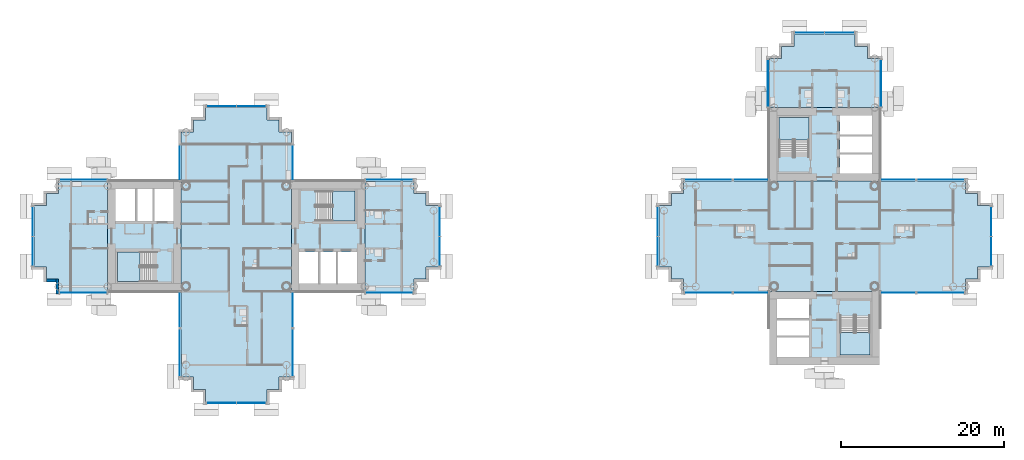
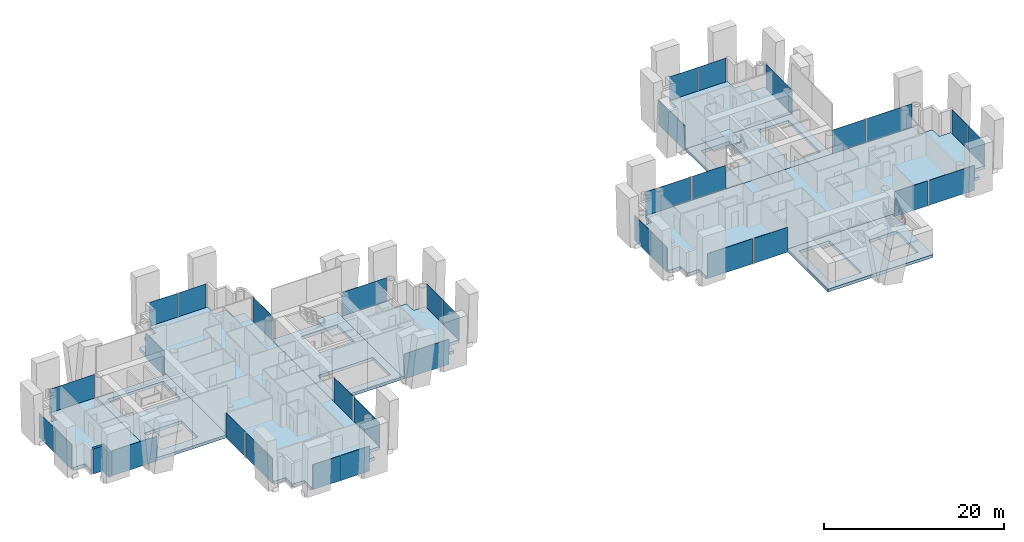
# One storey, part 7 of 20: 34 plates, 13 slabs, 2 walls, 31 elements without a shape of their own.
"""IFC4 building model written with IfcOpenShell, lengths in metres."""

from ifc_helpers import new_model, si_unit, direction, frame, frame_2d, origin, origin_2d, place, context, subcontext, project, spatial, polyline, rectangle, outline, extrude, material, layer, layer_set, type_object, element, aggregate, save


model = new_model("IFC4")

# Units and contexts
model_context = context("Model", 3, precision=1e-05, world=origin(), true_north=direction((0.0, 1.0)))
body_context = subcontext(model_context, "Body", "Model", "MODEL_VIEW")
ifc_project = project(units=[si_unit("LENGTHUNIT", "METRE"), si_unit("AREAUNIT", "SQUARE_METRE"), si_unit("VOLUMEUNIT", "CUBIC_METRE"), si_unit("PLANEANGLEUNIT", "RADIAN"), si_unit("MASSUNIT", "GRAM", prefix="KILO")], contexts=[model_context])

# Site, building, storey
site_placement = place(None, origin())
site = spatial("IfcSite", under=ifc_project, at=site_placement, CompositionType="ELEMENT")
building_placement = place(site_placement, origin())
building = spatial("IfcBuilding", under=site, at=building_placement, Name="Ipe Terrace Towers", CompositionType="ELEMENT")
storey_placement = place(building_placement, frame((0.0, 0.0, 100.39990234375)))
storey = spatial("IfcBuildingStorey", under=building, at=storey_placement, Name="L27", CompositionType="ELEMENT", Elevation=100.39990234375)

# Slabs
ifc_material_1 = material(Name="Concrete C30/37", Category="concrete")
ifc_layer_1 = layer(ifc_material_1, 0.39990234375)
ifc_layer_set_1 = layer_set([ifc_layer_1], Name="CORE FLOOR SLAB 400 C30-37")
slab_type_1 = type_object("IfcSlabType", Name="CORE FLOOR SLAB 400 C30-37", PredefinedType="FLOOR", material=ifc_layer_set_1)
slab_1_placement = place(storey_placement, frame((0.0, 0.0, -0.39990234375)))
element("IfcSlab", 1, at=slab_1_placement, inside=storey, type_object=slab_type_1, Name="Core floor T1-C1", PredefinedType="FLOOR", context=body_context, shape_type="SweptSolid", body=[
    extrude(outline(polyline([(-29.25, -6.75), (-29.25, 6.75), (-20.25, 6.75), (-20.25, -6.75), (-29.25, -6.75)]), holes=[polyline([(-28.300048828125, -5.800048828125), (-21.199951171875, -5.800048828125), (-21.199951171875, -1.89990234375), (-28.300048828125, -1.89990234375), (-28.300048828125, -5.800048828125)]), polyline([(-26.199951171875, 5.550048828125), (-26.199951171875, 1.89990234375), (-21.449951171875, 1.89990234375), (-21.449951171875, 5.550048828125), (-26.199951171875, 5.550048828125)])]), origin(), (0.0, 0.0, 1.0), 0.39990234375),
])
slab_2_placement = place(storey_placement, frame((0.0, 0.0, -0.39990234375)))
element("IfcSlab", 2, at=slab_2_placement, inside=storey, type_object=slab_type_1, Name="Core floor T1-C2", PredefinedType="FLOOR", context=body_context, shape_type="SweptSolid", body=[
    extrude(outline(polyline([(-51.75, -6.75), (-51.75, 6.75), (-42.75, 6.75), (-42.75, -6.75), (-51.75, -6.75)]), holes=[polyline([(-45.800048828125, -5.550048828125), (-45.800048828125, -1.89990234375), (-50.550048828125, -1.89990234375), (-50.550048828125, -5.550048828125), (-45.800048828125, -5.550048828125)]), polyline([(-50.800048828125, 1.89990234375), (-43.699951171875, 1.89990234375), (-43.699951171875, 5.800048828125), (-50.800048828125, 5.800048828125), (-50.800048828125, 1.89990234375)])]), origin(), (0.0, 0.0, 1.0), 0.39990234375),
])
slab_3_placement = place(storey_placement, frame((0.0, 0.0, -0.39990234375)))
element("IfcSlab", 3, at=slab_3_placement, inside=storey, type_object=slab_type_1, Name="Core floor T2-C1", PredefinedType="FLOOR", context=body_context, shape_type="SweptSolid", body=[
    extrude(outline(polyline([(29.25, 6.75), (29.25, 15.75), (42.75, 15.75), (42.75, 6.75), (29.25, 6.75)]), holes=[polyline([(41.800048828125, 7.699951171875), (41.800048828125, 14.800048828125), (37.89990234375, 14.800048828125), (37.89990234375, 7.699951171875), (41.800048828125, 7.699951171875)]), polyline([(30.449951171875, 9.800048828125), (34.10009765625, 9.800048828125), (34.10009765625, 14.550048828125), (30.449951171875, 14.550048828125), (30.449951171875, 9.800048828125)])]), origin(), (0.0, 0.0, 1.0), 0.39990234375),
])
slab_4_placement = place(storey_placement, frame((0.0, 0.0, -0.39990234375)))
element("IfcSlab", 4, at=slab_4_placement, inside=storey, type_object=slab_type_1, Name="Core floor T2-C2", PredefinedType="FLOOR", context=body_context, shape_type="SweptSolid", body=[
    extrude(outline(polyline([(29.25, -15.75), (29.25, -6.75), (42.75, -6.75), (42.75, -15.75), (29.25, -15.75)]), holes=[polyline([(34.10009765625, -14.800048828125), (34.10009765625, -7.699951171875), (30.199951171875, -7.699951171875), (30.199951171875, -14.800048828125), (34.10009765625, -14.800048828125)]), polyline([(41.550048828125, -9.800048828125), (37.89990234375, -9.800048828125), (37.89990234375, -14.550048828125), (41.550048828125, -14.550048828125), (41.550048828125, -9.800048828125)])]), origin(), (0.0, 0.0, 1.0), 0.39990234375),
])

# Stair, slab
ifc_material_2 = material(Name="Concrete C30/37", Category="concrete")
stair_type = type_object("IfcStairType", Name="Protected exit stair", PredefinedType="HALF_TURN_STAIR", material=ifc_material_2)
stair_1_placement = place(storey_placement, origin())
stair_1 = element("IfcStair", 5, at=stair_1_placement, inside=storey, type_object=stair_type, Name="L27 Exit stair T1-C1", PredefinedType="HALF_TURN_STAIR")
ifc_material_3 = material(Name="Concrete C30/37", Category="concrete")
ifc_layer_2 = layer(ifc_material_3, 0.199951171875)
ifc_layer_set_2 = layer_set([ifc_layer_2], Name="Exit stair landing 200")
slab_type_2 = type_object("IfcSlabType", Name="Exit stair landing 200", PredefinedType="LANDING", material=ifc_layer_set_2)
slab_5_placement = place(storey_placement, frame((0.0, 0.0, 1.5)))
slab_5 = element("IfcSlab", 6, at=slab_5_placement, type_object=slab_type_2, Name="T1-ST1 landing 1", PredefinedType="LANDING", context=body_context, shape_type="SweptSolid", body=[
    extrude(outline(polyline([(-24.219970703125, 1.89990234375), (-21.449951171875, 1.89990234375), (-21.449951171875, 5.550048828125), (-24.219970703125, 5.550048828125), (-24.219970703125, 1.89990234375)])), origin(), (0.0, 0.0, 1.0), 0.2001953125),
])
aggregate(stair_1, [slab_5])

stair_2_placement = place(storey_placement, origin())
stair_2 = element("IfcStair", 7, at=stair_2_placement, inside=storey, type_object=stair_type, Name="L27 Exit stair T1-C2", PredefinedType="HALF_TURN_STAIR")
slab_6_placement = place(storey_placement, frame((0.0, 0.0, 1.5)))
slab_6 = element("IfcSlab", 8, at=slab_6_placement, type_object=slab_type_2, Name="T1-ST2 landing 1", PredefinedType="LANDING", context=body_context, shape_type="SweptSolid", body=[
    extrude(outline(polyline([(-47.780029296875, -1.89990234375), (-50.550048828125, -1.89990234375), (-50.550048828125, -5.550048828125), (-47.780029296875, -5.550048828125), (-47.780029296875, -1.89990234375)])), origin(), (0.0, 0.0, 1.0), 0.2001953125),
])
aggregate(stair_2, [slab_6])

stair_3_placement = place(storey_placement, origin())
stair_3 = element("IfcStair", 9, at=stair_3_placement, inside=storey, type_object=stair_type, Name="L27 Exit stair T2-C1", PredefinedType="HALF_TURN_STAIR")
slab_7_placement = place(storey_placement, frame((0.0, 0.0, 1.5)))
slab_7 = element("IfcSlab", 10, at=slab_7_placement, type_object=slab_type_2, Name="T2-ST1 landing 1", PredefinedType="LANDING", context=body_context, shape_type="SweptSolid", body=[
    extrude(outline(polyline([(34.10009765625, 11.780029296875), (34.10009765625, 14.550048828125), (30.449951171875, 14.550048828125), (30.449951171875, 11.780029296875), (34.10009765625, 11.780029296875)])), origin(), (0.0, 0.0, 1.0), 0.2001953125),
])
aggregate(stair_3, [slab_7])

stair_4_placement = place(storey_placement, origin())
stair_4 = element("IfcStair", 11, at=stair_4_placement, inside=storey, type_object=stair_type, Name="L27 Exit stair T2-C2", PredefinedType="HALF_TURN_STAIR")
slab_8_placement = place(storey_placement, frame((0.0, 0.0, 1.5)))
slab_8 = element("IfcSlab", 12, at=slab_8_placement, type_object=slab_type_2, Name="T2-ST2 landing 1", PredefinedType="LANDING", context=body_context, shape_type="SweptSolid", body=[
    extrude(outline(polyline([(37.89990234375, -11.780029296875), (37.89990234375, -14.550048828125), (41.550048828125, -14.550048828125), (41.550048828125, -11.780029296875), (37.89990234375, -11.780029296875)])), origin(), (0.0, 0.0, 1.0), 0.2001953125),
])
aggregate(stair_4, [slab_8])

# Slabs
ifc_material_4 = material(Name="Concrete C40/50", Category="concrete")
ifc_layer_3 = layer(ifc_material_4, 0.39990234375)
ifc_layer_set_3 = layer_set([ifc_layer_3], Name="FLAT PLATE SLAB 400 C40-50")
slab_type_3 = type_object("IfcSlabType", Name="FLAT PLATE SLAB 400 C40-50", PredefinedType="FLOOR", material=ifc_layer_set_3)
slab_9_placement = place(storey_placement, frame((0.0, 0.0, -0.39990234375)))
element("IfcSlab", 13, at=slab_9_placement, inside=storey, type_object=slab_type_3, Name="Slab T1-FS-Z21", PredefinedType="FLOOR", context=body_context, shape_type="SweptSolid", body=[
    extrude(outline(polyline([(-30.75, -17.25), (-30.75, -18.75), (-32.25, -18.75), (-32.25, -20.25), (-39.75, -20.25), (-39.75, -18.75), (-41.25, -18.75), (-41.25, -17.25), (-42.75, -17.25), (-42.75, -6.75), (-42.75, 6.75), (-42.75, 12.75), (-41.25, 12.75), (-41.25, 14.25), (-39.75, 14.25), (-39.75, 15.75), (-32.25, 15.75), (-32.25, 14.25), (-30.75, 14.25), (-30.75, 12.75), (-29.25, 12.75), (-29.25, 6.75), (-29.25, -6.75), (-29.25, -17.25), (-30.75, -17.25)])), origin(), (0.0, 0.0, 1.0), 0.39990234375),
])
slab_10_placement = place(storey_placement, frame((0.0, 0.0, -0.39990234375)))
element("IfcSlab", 14, at=slab_10_placement, inside=storey, type_object=slab_type_3, Name="Slab T1-FS-Z22", PredefinedType="FLOOR", context=body_context, shape_type="SweptSolid", body=[
    extrude(outline(polyline([(-57.75, -6.75), (-57.75, -5.25), (-59.25, -5.25), (-59.25, -3.75), (-60.75, -3.75), (-60.75, 3.75), (-59.25, 3.75), (-59.25, 5.25), (-57.75, 5.25), (-57.75, 6.75), (-51.75, 6.75), (-51.75, -6.75), (-57.75, -6.75)])), origin(), (0.0, 0.0, 1.0), 0.39990234375),
])
slab_11_placement = place(storey_placement, frame((0.0, 0.0, -0.39990234375)))
element("IfcSlab", 15, at=slab_11_placement, inside=storey, type_object=slab_type_3, Name="Slab T1-FS-Z23", PredefinedType="FLOOR", context=body_context, shape_type="SweptSolid", body=[
    extrude(outline(polyline([(-14.25, 5.25), (-12.75, 5.25), (-12.75, 3.75), (-11.25, 3.75), (-11.25, -3.75), (-12.75, -3.75), (-12.75, -5.25), (-14.25, -5.25), (-14.25, -6.75), (-20.25, -6.75), (-20.25, 6.75), (-14.25, 6.75), (-14.25, 5.25)])), origin(), (0.0, 0.0, 1.0), 0.39990234375),
])
slab_12_placement = place(storey_placement, frame((0.0, 0.0, -0.39990234375)))
element("IfcSlab", 16, at=slab_12_placement, inside=storey, type_object=slab_type_3, Name="Slab T2-FS-Z21", PredefinedType="FLOOR", context=body_context, shape_type="SweptSolid", body=[
    extrude(outline(polyline([(53.25, 5.25), (54.75, 5.25), (54.75, 3.75), (56.25, 3.75), (56.25, -3.75), (54.75, -3.75), (54.75, -5.25), (53.25, -5.25), (53.25, -6.75), (42.75, -6.75), (29.25, -6.75), (18.75, -6.75), (18.75, -5.25), (17.25, -5.25), (17.25, -3.75), (15.75, -3.75), (15.75, 3.75), (17.25, 3.75), (17.25, 5.25), (18.75, 5.25), (18.75, 6.75), (29.25, 6.75), (42.75, 6.75), (53.25, 6.75), (53.25, 5.25)])), origin(), (0.0, 0.0, 1.0), 0.39990234375),
])
slab_13_placement = place(storey_placement, frame((0.0, 0.0, -0.39990234375)))
element("IfcSlab", 17, at=slab_13_placement, inside=storey, type_object=slab_type_3, Name="Slab T2-FS-Z22", PredefinedType="FLOOR", context=body_context, shape_type="SweptSolid", body=[
    extrude(outline(polyline([(30.75, 21.75), (30.75, 23.25), (32.25, 23.25), (32.25, 24.75), (39.75, 24.75), (39.75, 23.25), (41.25, 23.25), (41.25, 21.75), (42.75, 21.75), (42.75, 15.75), (29.25, 15.75), (29.25, 21.75), (30.75, 21.75)])), origin(), (0.0, 0.0, 1.0), 0.39990234375),
])

# Curtain wall, plate
ifc_material_5 = material(Name="Aluminium alloy 6063-T6", Category="aluminium")
ifc_layer_4 = layer(ifc_material_5, 0.320068359375)
ifc_layer_set_4 = layer_set([ifc_layer_4], Name="TOWER UNITISED CURTAIN WALL")
curtain_wall_type = type_object("IfcCurtainWallType", Name="TOWER UNITISED CURTAIN WALL", PredefinedType="NOTDEFINED", material=ifc_layer_set_4)
curtain_wall_1_placement = place(storey_placement, origin())
curtain_wall_1 = element("IfcCurtainWall", 18, at=curtain_wall_1_placement, inside=storey, type_object=curtain_wall_type, Name="T1-CW-L27-04a curtain wall", PredefinedType="NOTDEFINED")
ifc_material_6 = material(Name="Glass, clear laminated", Category="glass")
ifc_layer_5 = layer(ifc_material_6, 0.031982421875)
ifc_layer_set_5 = layer_set([ifc_layer_5], Name="TOWER UNITISED GLASS PANEL 32")
plate_type = type_object("IfcPlateType", Name="TOWER UNITISED GLASS PANEL 32", PredefinedType="CURTAIN_PANEL", material=ifc_layer_set_5)
plate_1_placement = place(storey_placement, frame((-54.75048828125, -6.909912109375, -0.2998046875), z_axis=(0.0, 0.0, 1.0), x_axis=(1.0, 0.0, 0.0)))
plate_1 = element("IfcPlate", 19, at=plate_1_placement, type_object=plate_type, Name="T1-CW-L27-04a panel 1", PredefinedType="CURTAIN_PANEL", context=body_context, shape_type="SweptSolid", body=[
    extrude(rectangle(XDim=5.759033203125, YDim=0.031982421875, at=origin_2d()), origin(), (0.0, 0.0, 1.0), 3.39990234375),
])
aggregate(curtain_wall_1, [plate_1])

curtain_wall_2_placement = place(storey_placement, origin())
curtain_wall_2 = element("IfcCurtainWall", 20, at=curtain_wall_2_placement, inside=storey, type_object=curtain_wall_type, Name="T1-CW-L27-06a curtain wall", PredefinedType="NOTDEFINED")
plate_2_placement = place(storey_placement, frame((-42.909912109375, -9.0, -0.2998046875), z_axis=(0.0, 0.0, 1.0), x_axis=(0.0, -1.0, 0.0)))
plate_2 = element("IfcPlate", 21, at=plate_2_placement, type_object=plate_type, Name="T1-CW-L27-06a panel 1", PredefinedType="CURTAIN_PANEL", context=body_context, shape_type="SweptSolid", body=[
    extrude(rectangle(XDim=4.260009765625, YDim=0.031982421875, at=origin_2d()), origin(), (0.0, 0.0, 1.0), 3.39990234375),
])
aggregate(curtain_wall_2, [plate_2])

curtain_wall_3_placement = place(storey_placement, origin())
curtain_wall_3 = element("IfcCurtainWall", 22, at=curtain_wall_3_placement, inside=storey, type_object=curtain_wall_type, Name="T1-CW-L27-07a curtain wall", PredefinedType="NOTDEFINED")
plate_3_placement = place(storey_placement, frame((-42.909912109375, -14.25, -0.2998046875), z_axis=(0.0, 0.0, 1.0), x_axis=(0.0, -1.0, 0.0)))
plate_3 = element("IfcPlate", 23, at=plate_3_placement, type_object=plate_type, Name="T1-CW-L27-07a panel 1", PredefinedType="CURTAIN_PANEL", context=body_context, shape_type="SweptSolid", body=[
    extrude(rectangle(XDim=5.760009765625, YDim=0.031982421875, at=origin_2d()), origin(), (0.0, 0.0, 1.0), 3.39990234375),
])
aggregate(curtain_wall_3, [plate_3])

# Curtain wall, plates
curtain_wall_4_placement = place(storey_placement, origin())
curtain_wall_4 = element("IfcCurtainWall", 24, at=curtain_wall_4_placement, inside=storey, type_object=curtain_wall_type, Name="T1-CW-L27-12a curtain wall", PredefinedType="NOTDEFINED")
plate_4_placement = place(storey_placement, frame((-37.831298828125, -20.409912109375, -0.2998046875), z_axis=(0.0, 0.0, 1.0), x_axis=(1.0, 0.0, 0.0)))
plate_4 = element("IfcPlate", 25, at=plate_4_placement, type_object=plate_type, Name="T1-CW-L27-12a panel 1", PredefinedType="CURTAIN_PANEL", context=body_context, shape_type="SweptSolid", body=[
    extrude(rectangle(XDim=3.597412109375, YDim=0.031982421875, at=origin_2d()), origin(), (0.0, 0.0, 1.0), 3.39990234375),
])
plate_5_placement = place(storey_placement, frame((-34.168701171875, -20.409912109375, -0.2998046875), z_axis=(0.0, 0.0, 1.0), x_axis=(1.0, 0.0, 0.0)))
plate_5 = element("IfcPlate", 26, at=plate_5_placement, type_object=plate_type, Name="T1-CW-L27-12a panel 2", PredefinedType="CURTAIN_PANEL", context=body_context, shape_type="SweptSolid", body=[
    extrude(rectangle(XDim=3.597412109375, YDim=0.031982421875, at=origin_2d()), origin(), (0.0, 0.0, 1.0), 3.39990234375),
])
aggregate(curtain_wall_4, [plate_4, plate_5])

# Curtain wall, plate
curtain_wall_5_placement = place(storey_placement, origin())
curtain_wall_5 = element("IfcCurtainWall", 27, at=curtain_wall_5_placement, inside=storey, type_object=curtain_wall_type, Name="T1-CW-L27-17a curtain wall", PredefinedType="NOTDEFINED")
plate_6_placement = place(storey_placement, frame((-29.090087890625, -14.25, -0.2998046875), z_axis=(0.0, 0.0, 1.0), x_axis=(0.0, 1.0, 0.0)))
plate_6 = element("IfcPlate", 28, at=plate_6_placement, type_object=plate_type, Name="T1-CW-L27-17a panel 1", PredefinedType="CURTAIN_PANEL", context=body_context, shape_type="SweptSolid", body=[
    extrude(rectangle(XDim=5.760009765625, YDim=0.031982421875, at=origin_2d()), origin(), (0.0, 0.0, 1.0), 3.39990234375),
])
aggregate(curtain_wall_5, [plate_6])

curtain_wall_6_placement = place(storey_placement, origin())
curtain_wall_6 = element("IfcCurtainWall", 29, at=curtain_wall_6_placement, inside=storey, type_object=curtain_wall_type, Name="T1-CW-L27-18a curtain wall", PredefinedType="NOTDEFINED")
plate_7_placement = place(storey_placement, frame((-29.090087890625, -9.0, -0.2998046875), z_axis=(0.0, 0.0, 1.0), x_axis=(0.0, 1.0, 0.0)))
plate_7 = element("IfcPlate", 30, at=plate_7_placement, type_object=plate_type, Name="T1-CW-L27-18a panel 1", PredefinedType="CURTAIN_PANEL", context=body_context, shape_type="SweptSolid", body=[
    extrude(rectangle(XDim=4.260009765625, YDim=0.031982421875, at=origin_2d()), origin(), (0.0, 0.0, 1.0), 3.39990234375),
])
aggregate(curtain_wall_6, [plate_7])

curtain_wall_7_placement = place(storey_placement, origin())
curtain_wall_7 = element("IfcCurtainWall", 31, at=curtain_wall_7_placement, inside=storey, type_object=curtain_wall_type, Name="T1-CW-L27-20b curtain wall", PredefinedType="NOTDEFINED")
plate_8_placement = place(storey_placement, frame((-17.24951171875, -6.909912109375, -0.2998046875), z_axis=(0.0, 0.0, 1.0), x_axis=(1.0, 0.0, 0.0)))
plate_8 = element("IfcPlate", 32, at=plate_8_placement, type_object=plate_type, Name="T1-CW-L27-20b panel 1", PredefinedType="CURTAIN_PANEL", context=body_context, shape_type="SweptSolid", body=[
    extrude(rectangle(XDim=5.759033203125, YDim=0.031982421875, at=origin_2d()), origin(), (0.0, 0.0, 1.0), 3.39990234375),
])
aggregate(curtain_wall_7, [plate_8])

# Curtain wall, plates
curtain_wall_8_placement = place(storey_placement, origin())
curtain_wall_8 = element("IfcCurtainWall", 33, at=curtain_wall_8_placement, inside=storey, type_object=curtain_wall_type, Name="T1-CW-L27-25a curtain wall", PredefinedType="NOTDEFINED")
plate_9_placement = place(storey_placement, frame((-11.090087890625, -1.831298828125, -0.2998046875), z_axis=(0.0, 0.0, 1.0), x_axis=(0.0, 1.0, 0.0)))
plate_9 = element("IfcPlate", 34, at=plate_9_placement, type_object=plate_type, Name="T1-CW-L27-25a panel 1", PredefinedType="CURTAIN_PANEL", context=body_context, shape_type="SweptSolid", body=[
    extrude(rectangle(XDim=3.597412109375, YDim=0.031982421875, at=origin_2d()), origin(), (0.0, 0.0, 1.0), 3.39990234375),
])
plate_10_placement = place(storey_placement, frame((-11.090087890625, 1.831298828125, -0.2998046875), z_axis=(0.0, 0.0, 1.0), x_axis=(0.0, 1.0, 0.0)))
plate_10 = element("IfcPlate", 35, at=plate_10_placement, type_object=plate_type, Name="T1-CW-L27-25a panel 2", PredefinedType="CURTAIN_PANEL", context=body_context, shape_type="SweptSolid", body=[
    extrude(rectangle(XDim=3.597412109375, YDim=0.031982421875, at=origin_2d()), origin(), (0.0, 0.0, 1.0), 3.39990234375),
])
aggregate(curtain_wall_8, [plate_9, plate_10])

# Curtain wall, plate
curtain_wall_9_placement = place(storey_placement, origin())
curtain_wall_9 = element("IfcCurtainWall", 36, at=curtain_wall_9_placement, inside=storey, type_object=curtain_wall_type, Name="T1-CW-L27-30a curtain wall", PredefinedType="NOTDEFINED")
plate_11_placement = place(storey_placement, frame((-17.24951171875, 6.909912109375, -0.2998046875), z_axis=(0.0, 0.0, 1.0), x_axis=(-1.0, 0.0, 0.0)))
plate_11 = element("IfcPlate", 37, at=plate_11_placement, type_object=plate_type, Name="T1-CW-L27-30a panel 1", PredefinedType="CURTAIN_PANEL", context=body_context, shape_type="SweptSolid", body=[
    extrude(rectangle(XDim=5.759033203125, YDim=0.031982421875, at=origin_2d()), origin(), (0.0, 0.0, 1.0), 3.39990234375),
])
aggregate(curtain_wall_9, [plate_11])

curtain_wall_10_placement = place(storey_placement, origin())
curtain_wall_10 = element("IfcCurtainWall", 38, at=curtain_wall_10_placement, inside=storey, type_object=curtain_wall_type, Name="T1-CW-L27-32a curtain wall", PredefinedType="NOTDEFINED")
plate_12_placement = place(storey_placement, frame((-29.090087890625, 9.0, -0.2998046875), z_axis=(0.0, 0.0, 1.0), x_axis=(0.0, 1.0, 0.0)))
plate_12 = element("IfcPlate", 39, at=plate_12_placement, type_object=plate_type, Name="T1-CW-L27-32a panel 1", PredefinedType="CURTAIN_PANEL", context=body_context, shape_type="SweptSolid", body=[
    extrude(rectangle(XDim=4.260009765625, YDim=0.031982421875, at=origin_2d()), origin(), (0.0, 0.0, 1.0), 3.39990234375),
])
aggregate(curtain_wall_10, [plate_12])

# Curtain wall, plates
curtain_wall_11_placement = place(storey_placement, origin())
curtain_wall_11 = element("IfcCurtainWall", 40, at=curtain_wall_11_placement, inside=storey, type_object=curtain_wall_type, Name="T1-CW-L27-38a curtain wall", PredefinedType="NOTDEFINED")
plate_13_placement = place(storey_placement, frame((-34.168701171875, 15.909912109375, -0.2998046875), z_axis=(0.0, 0.0, 1.0), x_axis=(-1.0, 0.0, 0.0)))
plate_13 = element("IfcPlate", 41, at=plate_13_placement, type_object=plate_type, Name="T1-CW-L27-38a panel 1", PredefinedType="CURTAIN_PANEL", context=body_context, shape_type="SweptSolid", body=[
    extrude(rectangle(XDim=3.597412109375, YDim=0.031982421875, at=origin_2d()), origin(), (0.0, 0.0, 1.0), 3.39990234375),
])
plate_14_placement = place(storey_placement, frame((-37.831298828125, 15.909912109375, -0.2998046875), z_axis=(0.0, 0.0, 1.0), x_axis=(-1.0, 0.0, 0.0)))
plate_14 = element("IfcPlate", 42, at=plate_14_placement, type_object=plate_type, Name="T1-CW-L27-38a panel 2", PredefinedType="CURTAIN_PANEL", context=body_context, shape_type="SweptSolid", body=[
    extrude(rectangle(XDim=3.597412109375, YDim=0.031982421875, at=origin_2d()), origin(), (0.0, 0.0, 1.0), 3.39990234375),
])
aggregate(curtain_wall_11, [plate_13, plate_14])

# Curtain wall, plate
curtain_wall_12_placement = place(storey_placement, origin())
curtain_wall_12 = element("IfcCurtainWall", 43, at=curtain_wall_12_placement, inside=storey, type_object=curtain_wall_type, Name="T1-CW-L27-44a curtain wall", PredefinedType="NOTDEFINED")
plate_15_placement = place(storey_placement, frame((-42.909912109375, 9.0, -0.2998046875), z_axis=(0.0, 0.0, 1.0), x_axis=(0.0, -1.0, 0.0)))
plate_15 = element("IfcPlate", 44, at=plate_15_placement, type_object=plate_type, Name="T1-CW-L27-44a panel 1", PredefinedType="CURTAIN_PANEL", context=body_context, shape_type="SweptSolid", body=[
    extrude(rectangle(XDim=4.260009765625, YDim=0.031982421875, at=origin_2d()), origin(), (0.0, 0.0, 1.0), 3.39990234375),
])
aggregate(curtain_wall_12, [plate_15])

curtain_wall_13_placement = place(storey_placement, origin())
curtain_wall_13 = element("IfcCurtainWall", 45, at=curtain_wall_13_placement, inside=storey, type_object=curtain_wall_type, Name="T1-CW-L27-46b curtain wall", PredefinedType="NOTDEFINED")
plate_16_placement = place(storey_placement, frame((-54.75048828125, 6.909912109375, -0.2998046875), z_axis=(0.0, 0.0, 1.0), x_axis=(-1.0, 0.0, 0.0)))
plate_16 = element("IfcPlate", 46, at=plate_16_placement, type_object=plate_type, Name="T1-CW-L27-46b panel 1", PredefinedType="CURTAIN_PANEL", context=body_context, shape_type="SweptSolid", body=[
    extrude(rectangle(XDim=5.759033203125, YDim=0.031982421875, at=origin_2d()), origin(), (0.0, 0.0, 1.0), 3.39990234375),
])
aggregate(curtain_wall_13, [plate_16])

# Curtain wall, plates
curtain_wall_14_placement = place(storey_placement, origin())
curtain_wall_14 = element("IfcCurtainWall", 47, at=curtain_wall_14_placement, inside=storey, type_object=curtain_wall_type, Name="T1-CW-L27-51a curtain wall", PredefinedType="NOTDEFINED")
plate_17_placement = place(storey_placement, frame((-60.909912109375, 1.831298828125, -0.2998046875), z_axis=(0.0, 0.0, 1.0), x_axis=(0.0, -1.0, 0.0)))
plate_17 = element("IfcPlate", 48, at=plate_17_placement, type_object=plate_type, Name="T1-CW-L27-51a panel 1", PredefinedType="CURTAIN_PANEL", context=body_context, shape_type="SweptSolid", body=[
    extrude(rectangle(XDim=3.597412109375, YDim=0.031982421875, at=origin_2d()), origin(), (0.0, 0.0, 1.0), 3.39990234375),
])
plate_18_placement = place(storey_placement, frame((-60.909912109375, -1.831298828125, -0.2998046875), z_axis=(0.0, 0.0, 1.0), x_axis=(0.0, -1.0, 0.0)))
plate_18 = element("IfcPlate", 49, at=plate_18_placement, type_object=plate_type, Name="T1-CW-L27-51a panel 2", PredefinedType="CURTAIN_PANEL", context=body_context, shape_type="SweptSolid", body=[
    extrude(rectangle(XDim=3.597412109375, YDim=0.031982421875, at=origin_2d()), origin(), (0.0, 0.0, 1.0), 3.39990234375),
])
aggregate(curtain_wall_14, [plate_17, plate_18])

# Curtain wall, plate
curtain_wall_15_placement = place(storey_placement, origin())
curtain_wall_15 = element("IfcCurtainWall", 50, at=curtain_wall_15_placement, inside=storey, type_object=curtain_wall_type, Name="T2-CW-L27-02a curtain wall", PredefinedType="NOTDEFINED")
plate_19_placement = place(storey_placement, frame((45.0, -6.909912109375, -0.2998046875), z_axis=(0.0, 0.0, 1.0), x_axis=(1.0, 0.0, 0.0)))
plate_19 = element("IfcPlate", 51, at=plate_19_placement, type_object=plate_type, Name="T2-CW-L27-02a panel 1", PredefinedType="CURTAIN_PANEL", context=body_context, shape_type="SweptSolid", body=[
    extrude(rectangle(XDim=4.260009765625, YDim=0.031982421875, at=origin_2d()), origin(), (0.0, 0.0, 1.0), 3.39990234375),
])
aggregate(curtain_wall_15, [plate_19])

curtain_wall_16_placement = place(storey_placement, origin())
curtain_wall_16 = element("IfcCurtainWall", 52, at=curtain_wall_16_placement, inside=storey, type_object=curtain_wall_type, Name="T2-CW-L27-03a curtain wall", PredefinedType="NOTDEFINED")
plate_20_placement = place(storey_placement, frame((50.25, -6.909912109375, -0.2998046875), z_axis=(0.0, 0.0, 1.0), x_axis=(1.0, 0.0, 0.0)))
plate_20 = element("IfcPlate", 53, at=plate_20_placement, type_object=plate_type, Name="T2-CW-L27-03a panel 1", PredefinedType="CURTAIN_PANEL", context=body_context, shape_type="SweptSolid", body=[
    extrude(rectangle(XDim=5.760009765625, YDim=0.031982421875, at=origin_2d()), origin(), (0.0, 0.0, 1.0), 3.39990234375),
])
aggregate(curtain_wall_16, [plate_20])

# Curtain wall, plates
curtain_wall_17_placement = place(storey_placement, origin())
curtain_wall_17 = element("IfcCurtainWall", 54, at=curtain_wall_17_placement, inside=storey, type_object=curtain_wall_type, Name="T2-CW-L27-08a curtain wall", PredefinedType="NOTDEFINED")
plate_21_placement = place(storey_placement, frame((56.409912109375, -1.831298828125, -0.2998046875), z_axis=(0.0, 0.0, 1.0), x_axis=(0.0, 1.0, 0.0)))
plate_21 = element("IfcPlate", 55, at=plate_21_placement, type_object=plate_type, Name="T2-CW-L27-08a panel 1", PredefinedType="CURTAIN_PANEL", context=body_context, shape_type="SweptSolid", body=[
    extrude(rectangle(XDim=3.597412109375, YDim=0.031982421875, at=origin_2d()), origin(), (0.0, 0.0, 1.0), 3.39990234375),
])
plate_22_placement = place(storey_placement, frame((56.409912109375, 1.831298828125, -0.2998046875), z_axis=(0.0, 0.0, 1.0), x_axis=(0.0, 1.0, 0.0)))
plate_22 = element("IfcPlate", 56, at=plate_22_placement, type_object=plate_type, Name="T2-CW-L27-08a panel 2", PredefinedType="CURTAIN_PANEL", context=body_context, shape_type="SweptSolid", body=[
    extrude(rectangle(XDim=3.597412109375, YDim=0.031982421875, at=origin_2d()), origin(), (0.0, 0.0, 1.0), 3.39990234375),
])
aggregate(curtain_wall_17, [plate_21, plate_22])

# Curtain wall, plate
curtain_wall_18_placement = place(storey_placement, origin())
curtain_wall_18 = element("IfcCurtainWall", 57, at=curtain_wall_18_placement, inside=storey, type_object=curtain_wall_type, Name="T2-CW-L27-13a curtain wall", PredefinedType="NOTDEFINED")
plate_23_placement = place(storey_placement, frame((50.25, 6.909912109375, -0.2998046875), z_axis=(0.0, 0.0, 1.0), x_axis=(-1.0, 0.0, 0.0)))
plate_23 = element("IfcPlate", 58, at=plate_23_placement, type_object=plate_type, Name="T2-CW-L27-13a panel 1", PredefinedType="CURTAIN_PANEL", context=body_context, shape_type="SweptSolid", body=[
    extrude(rectangle(XDim=5.760009765625, YDim=0.031982421875, at=origin_2d()), origin(), (0.0, 0.0, 1.0), 3.39990234375),
])
aggregate(curtain_wall_18, [plate_23])

curtain_wall_19_placement = place(storey_placement, origin())
curtain_wall_19 = element("IfcCurtainWall", 59, at=curtain_wall_19_placement, inside=storey, type_object=curtain_wall_type, Name="T2-CW-L27-14a curtain wall", PredefinedType="NOTDEFINED")
plate_24_placement = place(storey_placement, frame((45.0, 6.909912109375, -0.2998046875), z_axis=(0.0, 0.0, 1.0), x_axis=(-1.0, 0.0, 0.0)))
plate_24 = element("IfcPlate", 60, at=plate_24_placement, type_object=plate_type, Name="T2-CW-L27-14a panel 1", PredefinedType="CURTAIN_PANEL", context=body_context, shape_type="SweptSolid", body=[
    extrude(rectangle(XDim=4.260009765625, YDim=0.031982421875, at=origin_2d()), origin(), (0.0, 0.0, 1.0), 3.39990234375),
])
aggregate(curtain_wall_19, [plate_24])

curtain_wall_20_placement = place(storey_placement, origin())
curtain_wall_20 = element("IfcCurtainWall", 61, at=curtain_wall_20_placement, inside=storey, type_object=curtain_wall_type, Name="T2-CW-L27-16b curtain wall", PredefinedType="NOTDEFINED")
plate_25_placement = place(storey_placement, frame((42.909912109375, 18.75048828125, -0.2998046875), z_axis=(0.0, 0.0, 1.0), x_axis=(0.0, 1.0, 0.0)))
plate_25 = element("IfcPlate", 62, at=plate_25_placement, type_object=plate_type, Name="T2-CW-L27-16b panel 1", PredefinedType="CURTAIN_PANEL", context=body_context, shape_type="SweptSolid", body=[
    extrude(rectangle(XDim=5.759033203125, YDim=0.031982421875, at=origin_2d()), origin(), (0.0, 0.0, 1.0), 3.39990234375),
])
aggregate(curtain_wall_20, [plate_25])

# Curtain wall, plates
curtain_wall_21_placement = place(storey_placement, origin())
curtain_wall_21 = element("IfcCurtainWall", 63, at=curtain_wall_21_placement, inside=storey, type_object=curtain_wall_type, Name="T2-CW-L27-21a curtain wall", PredefinedType="NOTDEFINED")
plate_26_placement = place(storey_placement, frame((37.831298828125, 24.909912109375, -0.2998046875), z_axis=(0.0, 0.0, 1.0), x_axis=(-1.0, 0.0, 0.0)))
plate_26 = element("IfcPlate", 64, at=plate_26_placement, type_object=plate_type, Name="T2-CW-L27-21a panel 1", PredefinedType="CURTAIN_PANEL", context=body_context, shape_type="SweptSolid", body=[
    extrude(rectangle(XDim=3.597412109375, YDim=0.031982421875, at=origin_2d()), origin(), (0.0, 0.0, 1.0), 3.39990234375),
])
plate_27_placement = place(storey_placement, frame((34.168701171875, 24.909912109375, -0.2998046875), z_axis=(0.0, 0.0, 1.0), x_axis=(-1.0, 0.0, 0.0)))
plate_27 = element("IfcPlate", 65, at=plate_27_placement, type_object=plate_type, Name="T2-CW-L27-21a panel 2", PredefinedType="CURTAIN_PANEL", context=body_context, shape_type="SweptSolid", body=[
    extrude(rectangle(XDim=3.597412109375, YDim=0.031982421875, at=origin_2d()), origin(), (0.0, 0.0, 1.0), 3.39990234375),
])
aggregate(curtain_wall_21, [plate_26, plate_27])

# Curtain wall, plate
curtain_wall_22_placement = place(storey_placement, origin())
curtain_wall_22 = element("IfcCurtainWall", 66, at=curtain_wall_22_placement, inside=storey, type_object=curtain_wall_type, Name="T2-CW-L27-26a curtain wall", PredefinedType="NOTDEFINED")
plate_28_placement = place(storey_placement, frame((29.090087890625, 18.75048828125, -0.2998046875), z_axis=(0.0, 0.0, 1.0), x_axis=(0.0, -1.0, 0.0)))
plate_28 = element("IfcPlate", 67, at=plate_28_placement, type_object=plate_type, Name="T2-CW-L27-26a panel 1", PredefinedType="CURTAIN_PANEL", context=body_context, shape_type="SweptSolid", body=[
    extrude(rectangle(XDim=5.759033203125, YDim=0.031982421875, at=origin_2d()), origin(), (0.0, 0.0, 1.0), 3.39990234375),
])
aggregate(curtain_wall_22, [plate_28])

curtain_wall_23_placement = place(storey_placement, origin())
curtain_wall_23 = element("IfcCurtainWall", 68, at=curtain_wall_23_placement, inside=storey, type_object=curtain_wall_type, Name="T2-CW-L27-28a curtain wall", PredefinedType="NOTDEFINED")
plate_29_placement = place(storey_placement, frame((27.0, 6.909912109375, -0.2998046875), z_axis=(0.0, 0.0, 1.0), x_axis=(-1.0, 0.0, 0.0)))
plate_29 = element("IfcPlate", 69, at=plate_29_placement, type_object=plate_type, Name="T2-CW-L27-28a panel 1", PredefinedType="CURTAIN_PANEL", context=body_context, shape_type="SweptSolid", body=[
    extrude(rectangle(XDim=4.260009765625, YDim=0.031982421875, at=origin_2d()), origin(), (0.0, 0.0, 1.0), 3.39990234375),
])
aggregate(curtain_wall_23, [plate_29])

curtain_wall_24_placement = place(storey_placement, origin())
curtain_wall_24 = element("IfcCurtainWall", 70, at=curtain_wall_24_placement, inside=storey, type_object=curtain_wall_type, Name="T2-CW-L27-29a curtain wall", PredefinedType="NOTDEFINED")
plate_30_placement = place(storey_placement, frame((21.75, 6.909912109375, -0.2998046875), z_axis=(0.0, 0.0, 1.0), x_axis=(-1.0, 0.0, 0.0)))
plate_30 = element("IfcPlate", 71, at=plate_30_placement, type_object=plate_type, Name="T2-CW-L27-29a panel 1", PredefinedType="CURTAIN_PANEL", context=body_context, shape_type="SweptSolid", body=[
    extrude(rectangle(XDim=5.760009765625, YDim=0.031982421875, at=origin_2d()), origin(), (0.0, 0.0, 1.0), 3.39990234375),
])
aggregate(curtain_wall_24, [plate_30])

# Curtain wall, plates
curtain_wall_25_placement = place(storey_placement, origin())
curtain_wall_25 = element("IfcCurtainWall", 72, at=curtain_wall_25_placement, inside=storey, type_object=curtain_wall_type, Name="T2-CW-L27-34a curtain wall", PredefinedType="NOTDEFINED")
plate_31_placement = place(storey_placement, frame((15.590087890625, 1.831298828125, -0.2998046875), z_axis=(0.0, 0.0, 1.0), x_axis=(0.0, -1.0, 0.0)))
plate_31 = element("IfcPlate", 73, at=plate_31_placement, type_object=plate_type, Name="T2-CW-L27-34a panel 1", PredefinedType="CURTAIN_PANEL", context=body_context, shape_type="SweptSolid", body=[
    extrude(rectangle(XDim=3.597412109375, YDim=0.031982421875, at=origin_2d()), origin(), (0.0, 0.0, 1.0), 3.39990234375),
])
plate_32_placement = place(storey_placement, frame((15.590087890625, -1.831298828125, -0.2998046875), z_axis=(0.0, 0.0, 1.0), x_axis=(0.0, -1.0, 0.0)))
plate_32 = element("IfcPlate", 74, at=plate_32_placement, type_object=plate_type, Name="T2-CW-L27-34a panel 2", PredefinedType="CURTAIN_PANEL", context=body_context, shape_type="SweptSolid", body=[
    extrude(rectangle(XDim=3.597412109375, YDim=0.031982421875, at=origin_2d()), origin(), (0.0, 0.0, 1.0), 3.39990234375),
])
aggregate(curtain_wall_25, [plate_31, plate_32])

# Curtain wall, plate
curtain_wall_26_placement = place(storey_placement, origin())
curtain_wall_26 = element("IfcCurtainWall", 75, at=curtain_wall_26_placement, inside=storey, type_object=curtain_wall_type, Name="T2-CW-L27-39a curtain wall", PredefinedType="NOTDEFINED")
plate_33_placement = place(storey_placement, frame((21.75, -6.909912109375, -0.2998046875), z_axis=(0.0, 0.0, 1.0), x_axis=(1.0, 0.0, 0.0)))
plate_33 = element("IfcPlate", 76, at=plate_33_placement, type_object=plate_type, Name="T2-CW-L27-39a panel 1", PredefinedType="CURTAIN_PANEL", context=body_context, shape_type="SweptSolid", body=[
    extrude(rectangle(XDim=5.760009765625, YDim=0.031982421875, at=origin_2d()), origin(), (0.0, 0.0, 1.0), 3.39990234375),
])
aggregate(curtain_wall_26, [plate_33])

curtain_wall_27_placement = place(storey_placement, origin())
curtain_wall_27 = element("IfcCurtainWall", 77, at=curtain_wall_27_placement, inside=storey, type_object=curtain_wall_type, Name="T2-CW-L27-40a curtain wall", PredefinedType="NOTDEFINED")
plate_34_placement = place(storey_placement, frame((27.0, -6.909912109375, -0.2998046875), z_axis=(0.0, 0.0, 1.0), x_axis=(1.0, 0.0, 0.0)))
plate_34 = element("IfcPlate", 78, at=plate_34_placement, type_object=plate_type, Name="T2-CW-L27-40a panel 1", PredefinedType="CURTAIN_PANEL", context=body_context, shape_type="SweptSolid", body=[
    extrude(rectangle(XDim=4.260009765625, YDim=0.031982421875, at=origin_2d()), origin(), (0.0, 0.0, 1.0), 3.39990234375),
])
aggregate(curtain_wall_27, [plate_34])

# Walls
ifc_material_7 = material(Name="Concrete C40/50 with buff precast cladding", Category="concrete")
ifc_layer_6 = layer(ifc_material_7, 0.320068359375)
ifc_layer_set_6 = layer_set([ifc_layer_6], Name="BUFF CLADDING WALL 320")
wall_type = type_object("IfcWallType", Name="BUFF CLADDING WALL 320", PredefinedType="STANDARD", material=ifc_layer_set_6)
wall_1_placement = place(storey_placement, frame((-59.25, -5.409912109375, -0.2998046875), z_axis=(0.0, 0.0, 1.0), x_axis=(1.0, 0.0, 0.0)))
element("IfcWall", 79, at=wall_1_placement, inside=storey, type_object=wall_type, Name="T1-W-L27-02a wall", PredefinedType="STANDARD", context=body_context, shape_type="SweptSolid", body=[
    extrude(rectangle(XDim=1.179931640625, YDim=0.320068359375, at=frame_2d((0.58984375, 0.0))), origin(), (0.0, 0.0, 1.0), 3.39990234375),
])
wall_2_placement = place(storey_placement, frame((-57.909912109375, -5.25, -0.2998046875), z_axis=(0.0, 0.0, 1.0), x_axis=(0.0, -1.0, 0.0)))
element("IfcWall", 80, at=wall_2_placement, inside=storey, type_object=wall_type, Name="T1-W-L27-03a wall", PredefinedType="STANDARD", context=body_context, shape_type="SweptSolid", body=[
    extrude(rectangle(XDim=1.820068359375, YDim=0.320068359375, at=frame_2d((0.91015625, 0.0))), origin(), (0.0, 0.0, 1.0), 3.39990234375),
])

save(model, "model.ifc")
